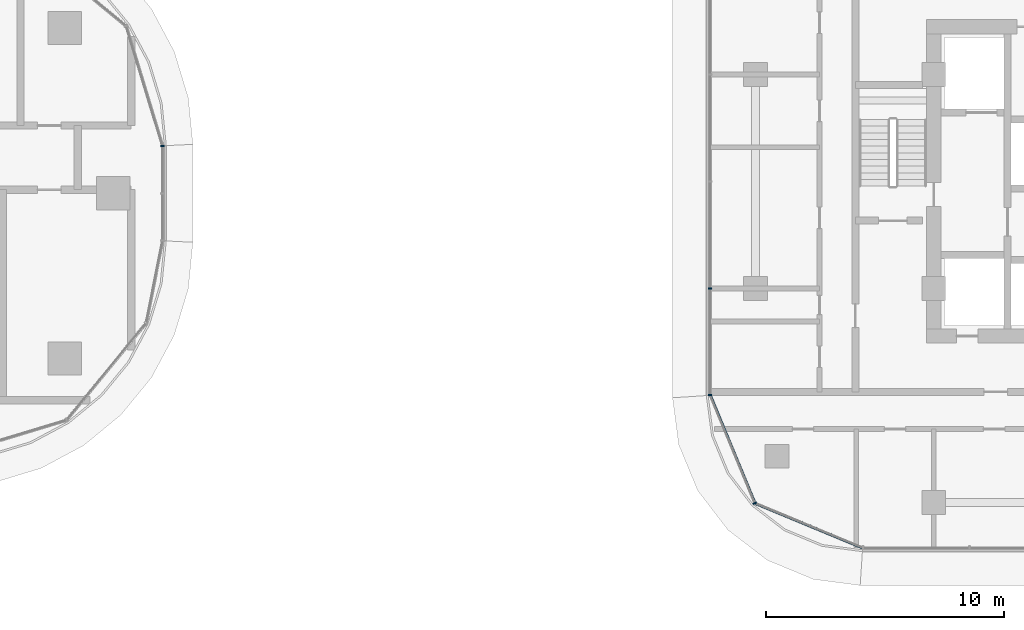
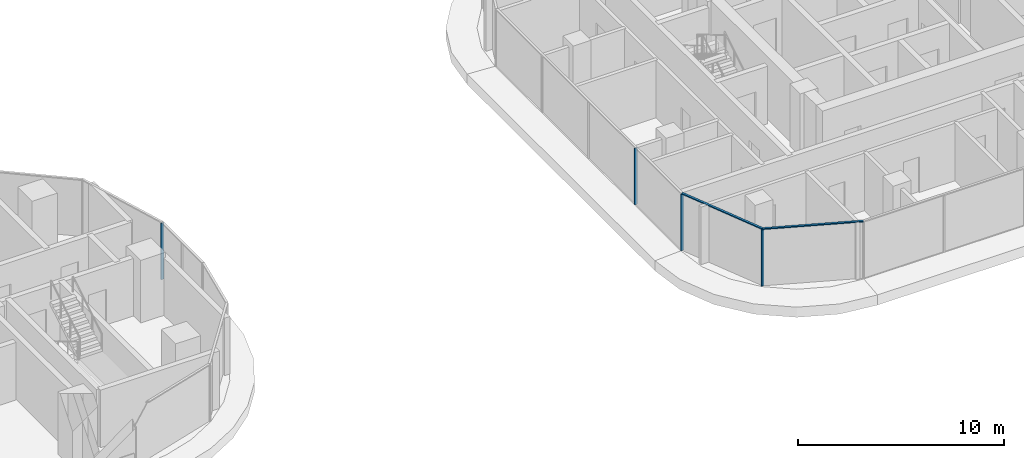
# One storey, part 9 of 36: 6 members, 3 elements without a shape of their own.
"""IFC4 building model written with IfcOpenShell, lengths in metres."""

from ifc_helpers import new_model, si_unit, direction, frame, origin, origin_2d, place, context, subcontext, project, spatial, rectangle, extrude, material, material_profile, profile_set, type_object, element, aggregate, save


model = new_model("IFC4")

# Units and contexts
model_context = context("Model", 3, precision=1e-05, world=origin(), true_north=direction((0.0, 1.0)))
body_context = subcontext(model_context, "Body", "Model", "MODEL_VIEW")
ifc_project = project(units=[si_unit("LENGTHUNIT", "METRE"), si_unit("AREAUNIT", "SQUARE_METRE"), si_unit("VOLUMEUNIT", "CUBIC_METRE"), si_unit("PLANEANGLEUNIT", "RADIAN"), si_unit("MASSUNIT", "GRAM", prefix="KILO")], contexts=[model_context])

# Site, building, storey
site_placement = place(None, origin())
site = spatial("IfcSite", under=ifc_project, at=site_placement, CompositionType="ELEMENT")
building_placement = place(site_placement, origin())
building = spatial("IfcBuilding", under=site, at=building_placement, Name="Ogive Portal Towers", CompositionType="ELEMENT")
storey_placement = place(building_placement, frame((0.0, 0.0, 52.0)))
storey = spatial("IfcBuildingStorey", under=building, at=storey_placement, Name="L11", CompositionType="ELEMENT", Elevation=52.0)

# Curtain wall, member
ifc_material_1 = material(Name="Glass, clear low-iron insulated glazing", Category="glass")
curtain_wall_type_1 = type_object("IfcCurtainWallType", Name="CW FRONT RIBBON 4500", PredefinedType="NOTDEFINED", material=ifc_material_1)
curtain_wall_1_placement = place(storey_placement, origin())
curtain_wall_1 = element("IfcCurtainWall", 1, at=curtain_wall_1_placement, inside=storey, type_object=curtain_wall_type_1, Name="A:L11:f12:cw0", PredefinedType="NOTDEFINED")
ifc_material_2 = material(Name="Aluminium 6063 anodised", Category="aluminium")
ifc_material_profile_1 = material_profile(ifc_material_2, rectangle(XDim=0.159912109375, YDim=0.06005859375, at=origin_2d()), Name="AL 60x160")
ifc_profile_set_1 = profile_set([ifc_material_profile_1], Name="Aluminium 6063 anodised")
member_type_1 = type_object("IfcMemberType", Name="CW MULLION 60x160", PredefinedType="MULLION", material=ifc_profile_set_1)
member_1_placement = place(storey_placement, frame((96.56494140625, 32.488037109375, 0.0), z_axis=(0.0, 0.0, 1.0), x_axis=(-1.0, 0.0, 0.0)))
member_1 = element("IfcMember", 2, at=member_1_placement, type_object=member_type_1, Name="mullion", PredefinedType="MULLION", context=body_context, shape_type="SweptSolid", body=[
    extrude(rectangle(XDim=0.159912109375, YDim=0.06005859375, at=origin_2d()), origin(), (0.0, 0.0, 1.0), 3.340087890625),
])
aggregate(curtain_wall_1, [member_1])

# Curtain wall, members
curtain_wall_type_2 = type_object("IfcCurtainWallType", Name="CW RESIDENCES RIBBON", PredefinedType="NOTDEFINED", material=ifc_material_1)
curtain_wall_2_placement = place(storey_placement, origin())
curtain_wall_2 = element("IfcCurtainWall", 3, at=curtain_wall_2_placement, inside=storey, type_object=curtain_wall_type_2, Name="B:L11:f11:cw0", PredefinedType="NOTDEFINED")
member_2_placement = place(storey_placement, frame((119.590087890625, 26.5, 0.0), z_axis=(0.0, 0.0, 1.0), x_axis=(1.0, 0.0, 0.0)))
member_2 = element("IfcMember", 4, at=member_2_placement, type_object=member_type_1, Name="mullion", PredefinedType="MULLION", context=body_context, shape_type="SweptSolid", body=[
    extrude(rectangle(XDim=0.159912109375, YDim=0.06005859375, at=origin_2d()), origin(), (0.0, 0.0, 1.0), 3.340087890625),
])
member_3_placement = place(storey_placement, frame((119.590087890625, 22.015869140625, 0.0), z_axis=(0.0, 0.0, 1.0), x_axis=(1.0, 0.0, 0.0)))
member_3 = element("IfcMember", 5, at=member_3_placement, type_object=member_type_1, Name="mullion", PredefinedType="MULLION", context=body_context, shape_type="SweptSolid", body=[
    extrude(rectangle(XDim=0.159912109375, YDim=0.06005859375, at=origin_2d()), origin(), (0.0, 0.0, 1.0), 3.340087890625),
])
aggregate(curtain_wall_2, [member_2, member_3])

curtain_wall_3_placement = place(storey_placement, origin())
curtain_wall_3 = element("IfcCurtainWall", 6, at=curtain_wall_3_placement, inside=storey, type_object=curtain_wall_type_2, Name="B:L11:f00:cwa", PredefinedType="NOTDEFINED")
member_4_placement = place(storey_placement, frame((121.47216796875, 17.47216796875, 0.0), z_axis=(0.0, 0.0, 1.0), x_axis=(0.923879532511, 0.382683432365, 0.0)))
member_4 = element("IfcMember", 7, at=member_4_placement, type_object=member_type_1, Name="mullion", PredefinedType="MULLION", context=body_context, shape_type="SweptSolid", body=[
    extrude(rectangle(XDim=0.159912109375, YDim=0.06005859375, at=origin_2d()), origin(), (0.0, 0.0, 1.0), 3.340087890625),
])
ifc_material_profile_2 = material_profile(ifc_material_2, rectangle(XDim=0.1201171875, YDim=0.06005859375, at=origin_2d()), Name="AL 120x60")
ifc_profile_set_2 = profile_set([ifc_material_profile_2], Name="Aluminium 6063 anodised")
member_type_2 = type_object("IfcMemberType", Name="CW TRANSOM 60x120", PredefinedType="USERDEFINED", material=ifc_profile_set_2)
member_5_placement = place(storey_placement, frame((119.590087890625, 22.015869140625, 3.3701171875), z_axis=(0.382686457306, -0.923878279534, 0.0), x_axis=(0.923878279534, 0.382686457306, 0.0)))
member_5 = element("IfcMember", 8, at=member_5_placement, type_object=member_type_2, Name="transom", ObjectType="TRANSOM", PredefinedType="USERDEFINED", context=body_context, shape_type="SweptSolid", body=[
    extrude(rectangle(XDim=0.1201171875, YDim=0.06005859375, at=origin_2d()), origin(), (0.0, 0.0, 1.0), 4.91796875),
])
member_6_placement = place(storey_placement, frame((121.47216796875, 17.47216796875, 3.3701171875), z_axis=(0.923878279534, -0.382686457306, 0.0), x_axis=(0.382686457306, 0.923878279534, 0.0)))
member_6 = element("IfcMember", 9, at=member_6_placement, type_object=member_type_2, Name="transom", ObjectType="TRANSOM", PredefinedType="USERDEFINED", context=body_context, shape_type="SweptSolid", body=[
    extrude(rectangle(XDim=0.1201171875, YDim=0.06005859375, at=origin_2d()), origin(), (0.0, 0.0, 1.0), 4.91796875),
])
aggregate(curtain_wall_3, [member_5, member_6, member_4])

save(model, "model.ifc")
